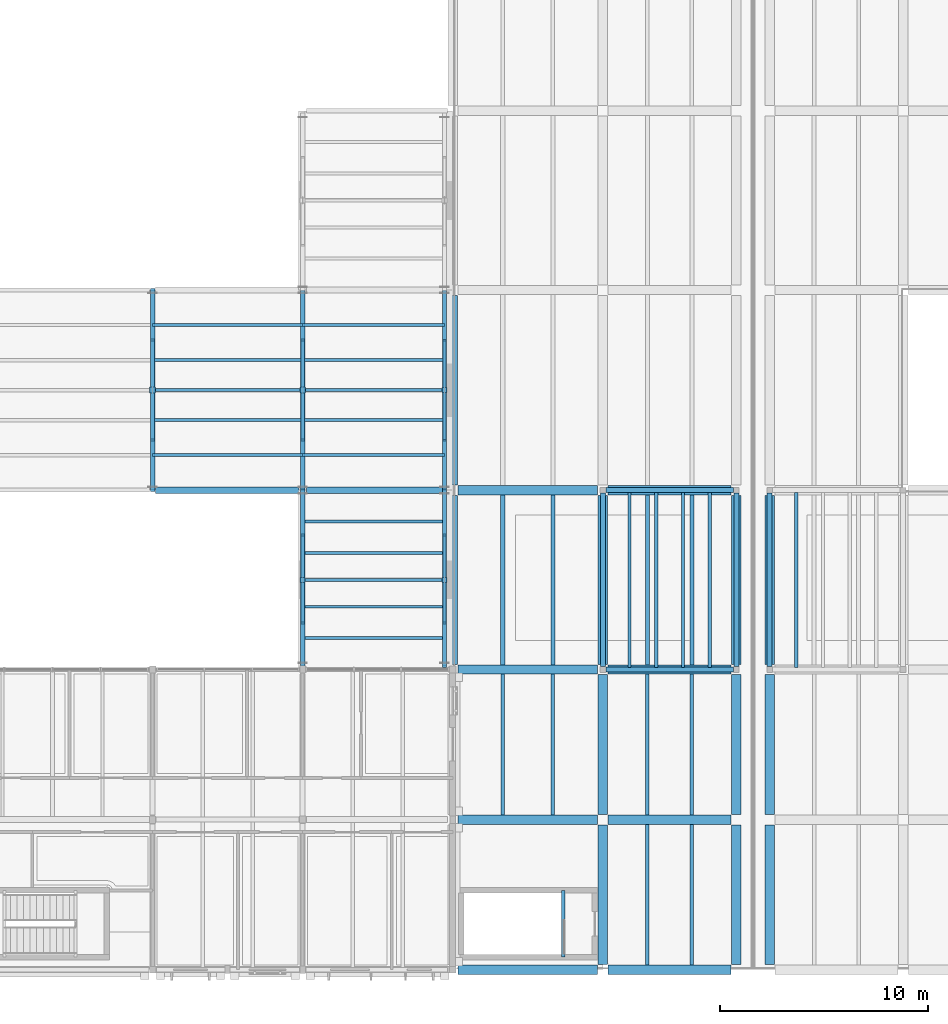
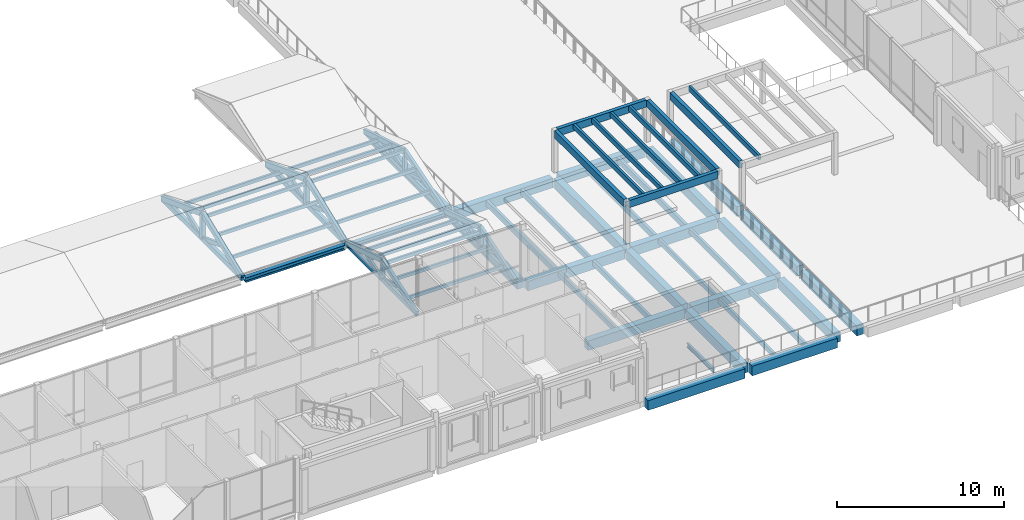
# One storey, part 42 of 115: 45 members, 42 beams.
"""IFC4 building model written with IfcOpenShell, lengths in metres."""

import ifcopenshell
import ifcopenshell.guid

model = None  # the IFC model being written
_history = None  # IfcOwnerHistory: only IFC2X3 demands one
_inside = {}  # id of a spatial element -> (the spatial element, [elements in it])
_under = {}  # id of a project, library or spatial element -> (it, [spatial elements below it])
_declared = {}  # id of a project -> (the project, [libraries it declares])
_typed = {}  # id of a type object -> (the type object, [elements of that type])
_made_of = {}  # id of a material, layer set ... -> (it, [elements and type objects made of it])


def new_model(schema):
    """Start an empty IFC model of exactly this schema.

    Asked for "IFC4X3", IfcOpenShell would pick the latest addendum, in which some entities
    have other attributes; the version numbers below select the first issue.
    IFC2X3 requires an IfcOwnerHistory on every rooted entity: one is made here for all.
    """
    global model, _history
    if schema == "IFC4X3":
        model = ifcopenshell.file(schema_version=(4, 3, 0, 0))
    else:
        model = ifcopenshell.file(schema=schema)
    _inside.clear()
    _under.clear()
    _declared.clear()
    _typed.clear()
    _made_of.clear()
    _history = None
    if model.schema == "IFC2X3":
        org = make("IfcOrganization", Name="unknown")
        user = make(
            "IfcPersonAndOrganization",
            ThePerson=make("IfcPerson", FamilyName="unknown"),
            TheOrganization=org,
        )
        app = make(
            "IfcApplication",
            ApplicationDeveloper=org,
            Version="unknown",
            ApplicationFullName="unknown",
            ApplicationIdentifier="unknown",
        )
        _history = make(
            "IfcOwnerHistory",
            OwningUser=user,
            OwningApplication=app,
            ChangeAction="ADDED",
            CreationDate=0,
        )
    return model


def make(cls, **values):
    """One entity of the class cls with the attributes given. An attribute that is None is left unset."""
    return model.create_entity(
        cls, **{name: value for name, value in values.items() if value is not None}
    )


def rooted(cls, **values):
    """An entity with a GlobalId (a new one), such as an element, a storey or a relation."""
    return make(cls, GlobalId=ifcopenshell.guid.new(), OwnerHistory=_history, **values)


def si_unit(unit_type, name, prefix=None):
    """IfcSIUnit, for example si_unit("LENGTHUNIT", "METRE", prefix="MILLI")."""
    return make("IfcSIUnit", UnitType=unit_type, Prefix=prefix, Name=name)


def assignment(units):
    """IfcUnitAssignment: the units of a project."""
    return None if units is None else make("IfcUnitAssignment", Units=units)


def point(xyz):
    """IfcCartesianPoint."""
    return None if xyz is None else make("IfcCartesianPoint", Coordinates=xyz)


def direction(xyz):
    """IfcDirection."""
    return None if xyz is None else make("IfcDirection", DirectionRatios=xyz)


def frame(location, z_axis=None, x_axis=None):
    """IfcAxis2Placement3D, a coordinate frame: its origin and axes. An axis left out is left unset."""
    return make(
        "IfcAxis2Placement3D",
        Location=point(location),
        Axis=direction(z_axis),
        RefDirection=direction(x_axis),
    )


def frame_2d(location, x_axis=None):
    """IfcAxis2Placement2D, a coordinate frame in the plane: its origin and x axis."""
    return make(
        "IfcAxis2Placement2D", Location=point(location), RefDirection=direction(x_axis)
    )


def origin():
    """The frame at (0, 0, 0) with its axes left unset."""
    return frame((0.0, 0.0, 0.0))


def origin_2d():
    """The frame at (0, 0) in the plane with its x axis left unset."""
    return frame_2d((0.0, 0.0))


def place(relative_to, where):
    """IfcLocalPlacement: puts the frame where relative to a parent placement (None: the world)."""
    return make(
        "IfcLocalPlacement", PlacementRelTo=relative_to, RelativePlacement=where
    )


def context(
    kind, dimensions, precision=None, world=None, true_north=None, identifier=None
):
    """IfcGeometricRepresentationContext, for example the 3D "Model" context."""
    return make(
        "IfcGeometricRepresentationContext",
        ContextIdentifier=identifier,
        ContextType=kind,
        CoordinateSpaceDimension=dimensions,
        Precision=precision,
        WorldCoordinateSystem=world,
        TrueNorth=true_north,
    )


def subcontext(parent, identifier, kind, view, scale=None):
    """IfcGeometricRepresentationSubContext, for example "Body" below "Model"."""
    return make(
        "IfcGeometricRepresentationSubContext",
        ContextIdentifier=identifier,
        ContextType=kind,
        ParentContext=parent,
        TargetScale=scale,
        TargetView=view,
    )


def project(units=None, contexts=None):
    """IfcProject with its units and contexts."""
    return rooted(
        "IfcProject",
        Name="project",
        RepresentationContexts=contexts,
        UnitsInContext=assignment(units),
    )


def spatial(cls, under=None, at=None, **own):
    """A site, building, storey or space (cls), placed at a placement, below another one or the project."""
    s = rooted(cls, ObjectPlacement=at, **own)
    if under is not None:
        _under.setdefault(under.id(), (under, []))[1].append(s)
    return s


def profile(cls, at=None, kind="AREA", **sizes):
    """A parametric profile (cls). Its sizes go by their IFC names, for example OverallWidth=200.0."""
    return make(cls, ProfileType=kind, Position=at, **sizes)


def rectangle(**sizes):
    """IfcRectangleProfileDef."""
    return profile("IfcRectangleProfileDef", **sizes)


def i_section(**sizes):
    """IfcIShapeProfileDef."""
    return profile("IfcIShapeProfileDef", **sizes)


def extrude(swept, where, along, depth):
    """IfcExtrudedAreaSolid: the profile swept, set in the frame where, extruded along a direction by depth."""
    return make(
        "IfcExtrudedAreaSolid",
        SweptArea=swept,
        Position=where,
        ExtrudedDirection=direction(along),
        Depth=depth,
    )


def shape(context_of_items, identifier, shape_type, items):
    """IfcShapeRepresentation: the items that make up one representation, for example the "Body"."""
    return make(
        "IfcShapeRepresentation",
        ContextOfItems=context_of_items,
        RepresentationIdentifier=identifier,
        RepresentationType=shape_type,
        Items=items,
    )


def material(Name=None, Category=None):
    """IfcMaterial."""
    return make("IfcMaterial", Name=Name, Category=Category)


def material_profile(
    of_material, cross_section, Name=None, Category=None, Priority=None
):
    """IfcMaterialProfile: a cross section and its material."""
    return make(
        "IfcMaterialProfile",
        Name=Name,
        Material=of_material,
        Profile=cross_section,
        Priority=Priority,
        Category=Category,
    )


def profile_set(profiles, Name=None, composite=None):
    """IfcMaterialProfileSet."""
    return make(
        "IfcMaterialProfileSet",
        Name=Name,
        MaterialProfiles=profiles,
        CompositeProfile=composite,
    )


def made_of(thing, what):
    """Note that an element or type object is made of a material, layer set ...; save() writes the relation."""
    if what is not None:
        _made_of.setdefault(what.id(), (what, []))[1].append(thing)
    return thing


def type_object(cls, material=None, **own):
    """A type object (cls), such as IfcWallType, which elements share."""
    return made_of(rooted(cls, **own), material)


def element(
    cls,
    number,
    at=None,
    inside=None,
    cuts=None,
    type_object=None,
    material=None,
    context=None,
    identifier="Body",
    shape_type=None,
    held_by="IfcProductDefinitionShape",
    body=None,
    shapes=None,
    **own,
):
    """One element of the class cls, such as IfcWall. Its Tag is "e" and its number.

    at: its placement. inside: the storey or other place that contains it. cuts: it is an
    opening in that element (IfcRelVoidsElement). A single representation is given by context,
    identifier, shape_type and body (its items); several are given by shapes. held_by: the class
    of the entity that holds the representations. save() writes the other relations.
    """
    e = rooted(cls, Tag="e%d" % number, ObjectPlacement=at, **own)
    if body is not None:
        shapes = [shape(context, identifier, shape_type, body)]
    if shapes is not None:
        e.Representation = make(held_by, Representations=shapes)
    if inside is not None:
        _inside.setdefault(inside.id(), (inside, []))[1].append(e)
    if cuts is not None:
        rooted(
            "IfcRelVoidsElement", RelatingBuildingElement=cuts, RelatedOpeningElement=e
        )
    if type_object is not None:
        _typed.setdefault(type_object.id(), (type_object, []))[1].append(e)
    return made_of(e, material)


def aggregate(whole, parts):
    """IfcRelAggregates: a whole, such as a stair, and the parts it consists of."""
    return rooted("IfcRelAggregates", RelatingObject=whole, RelatedObjects=parts)


def save(model, path):
    """Write the relations noted so far, then the file.

    IfcRelAggregates (storeys below a building ...), IfcRelContainedInSpatialStructure (elements
    in a storey), IfcRelDefinesByType, IfcRelAssociatesMaterial and IfcRelDeclares: one each for
    every whole, place, type object, material and project.
    """
    for whole, parts in _under.values():
        aggregate(whole, parts)
    for where, things in _inside.values():
        rooted(
            "IfcRelContainedInSpatialStructure",
            RelatedElements=things,
            RelatingStructure=where,
        )
    for kind, things in _typed.values():
        rooted("IfcRelDefinesByType", RelatedObjects=things, RelatingType=kind)
    for what, things in _made_of.values():
        rooted("IfcRelAssociatesMaterial", RelatedObjects=things, RelatingMaterial=what)
    for by, libraries in _declared.values():
        rooted("IfcRelDeclares", RelatingContext=by, RelatedDefinitions=libraries)
    model.write(path)


model = new_model("IFC4")

# Units and contexts
model_context = context("Model", 3, precision=1e-05, world=origin(), true_north=direction((0.0, 1.0)))
body_context = subcontext(model_context, "Body", "Model", "MODEL_VIEW")
ifc_project = project(units=[si_unit("LENGTHUNIT", "METRE"), si_unit("AREAUNIT", "SQUARE_METRE"), si_unit("VOLUMEUNIT", "CUBIC_METRE"), si_unit("PLANEANGLEUNIT", "RADIAN"), si_unit("MASSUNIT", "GRAM", prefix="KILO")], contexts=[model_context])

# Site, building, storey
site_placement = place(None, origin())
site = spatial("IfcSite", under=ifc_project, at=site_placement, CompositionType="ELEMENT")
building_placement = place(site_placement, origin())
building = spatial("IfcBuilding", under=site, at=building_placement, Name="Hawrajan Terrace Health Centre", CompositionType="ELEMENT")
storey_placement = place(building_placement, frame((0.0, 0.0, 9.0)))
storey = spatial("IfcBuildingStorey", under=building, at=storey_placement, Name="L02", CompositionType="ELEMENT", Elevation=9.0)

# Beams
ifc_material_1 = material(Name="Glulam GL32h", Category="wood")
ifc_material_profile_1 = material_profile(ifc_material_1, rectangle(XDim=0.239990234375, YDim=0.52001953125, at=origin_2d()), Name="GL BM 240x520")
ifc_profile_set_1 = profile_set([ifc_material_profile_1], Name="Glulam GL32h")
beam_type_1 = type_object("IfcBeamType", Name="GlulamGirder_240x520", PredefinedType="BEAM", material=ifc_profile_set_1)
for number, where, z_axis, x_axis, name in (
    (1, (122.340087890625, 18.60009765625, 2.840087890625), (1.0, 0.0, 0.0), (0.0, 1.0, 0.0), "Therapy garden pergola girder WEST-S"),
    (2, (122.340087890625, 27.199951171875, 2.840087890625), (1.0, 0.0, 0.0), (0.0, 1.0, 0.0), "Therapy garden pergola girder WEST-N"),
):
    element("IfcBeam", number, at=place(storey_placement, frame(where, z_axis=z_axis, x_axis=x_axis)), inside=storey, type_object=beam_type_1, Name=name, PredefinedType="BEAM", context=body_context, shape_type="SweptSolid", body=[
        extrude(rectangle(XDim=0.239990234375, YDim=0.52001953125, at=origin_2d()), origin(), (0.0, 0.0, 1.0), 6.119873046875),
    ])
for number, where, z_axis, x_axis, name in (
    (3, (122.199951171875, 18.739990234375, 2.840087890625), (0.0, 1.0, 0.0), (-1.0, 0.0, 0.0), "Therapy garden pergola girder WEST-W"),
    (4, (128.60009765625, 18.739990234375, 2.840087890625), (0.0, 1.0, 0.0), (-1.0, 0.0, 0.0), "Therapy garden pergola girder WEST-E"),
    (5, (130.199951171875, 18.739990234375, 2.840087890625), (0.0, 1.0, 0.0), (-1.0, 0.0, 0.0), "Therapy garden pergola girder EAST-W"),
):
    element("IfcBeam", number, at=place(storey_placement, frame(where, z_axis=z_axis, x_axis=x_axis)), inside=storey, type_object=beam_type_1, Name=name, PredefinedType="BEAM", context=body_context, shape_type="SweptSolid", body=[
        extrude(rectangle(XDim=0.239990234375, YDim=0.52001953125, at=origin_2d()), origin(), (0.0, 0.0, 1.0), 8.320068359375),
    ])
ifc_material_2 = material(Name="Glulam GL28h", Category="wood")
ifc_material_profile_2 = material_profile(ifc_material_2, rectangle(XDim=0.159912109375, YDim=0.360107421875, at=origin_2d()), Name="GL JST 160x360")
ifc_profile_set_2 = profile_set([ifc_material_profile_2], Name="Glulam GL28h")
beam_type_2 = type_object("IfcBeamType", Name="GlulamJoist_160x360", PredefinedType="JOIST", material=ifc_profile_set_2)
for number, where, z_axis, x_axis, name in (
    (6, (117.39990234375, 11.625, -0.4599609375), (0.0, 1.0, 0.0), (-1.0, 0.0, 0.0), "Secondary joist JST-L02-C-15-2-1"),
    (7, (124.333251953125, 4.425048828125, -0.4599609375), (0.0, 1.0, 0.0), (-1.0, 0.0, 0.0), "Secondary joist JST-L02-C-16-1-1"),
    (8, (124.333251953125, 11.625, -0.4599609375), (0.0, 1.0, 0.0), (-1.0, 0.0, 0.0), "Secondary joist JST-L02-C-16-2-1"),
):
    element("IfcBeam", number, at=place(storey_placement, frame(where, z_axis=z_axis, x_axis=x_axis)), inside=storey, type_object=beam_type_2, Name=name, PredefinedType="JOIST", context=body_context, shape_type="SweptSolid", body=[
        extrude(rectangle(XDim=0.159912109375, YDim=0.360107421875, at=origin_2d()), origin(), (0.0, 0.0, 1.0), 6.75),
    ])
for number, where, z_axis, x_axis, name in (
    (9, (123.47998046875, 18.705078125, 2.919921875), (0.0, 1.0, 0.0), (-1.0, 0.0, 0.0), "Therapy garden shade pergola rafter WEST-1"),
    (10, (124.760009765625, 18.705078125, 2.919921875), (0.0, 1.0, 0.0), (-1.0, 0.0, 0.0), "Therapy garden shade pergola rafter WEST-2"),
    (11, (126.0400390625, 18.705078125, 2.919921875), (0.0, 1.0, 0.0), (-1.0, 0.0, 0.0), "Therapy garden shade pergola rafter WEST-3"),
    (12, (127.320068359375, 18.705078125, 2.919921875), (0.0, 1.0, 0.0), (-1.0, 0.0, 0.0), "Therapy garden shade pergola rafter WEST-4"),
    (13, (131.47998046875, 18.705078125, 2.919921875), (0.0, 1.0, 0.0), (-1.0, 0.0, 0.0), "Therapy garden shade pergola rafter EAST-1"),
):
    element("IfcBeam", number, at=place(storey_placement, frame(where, z_axis=z_axis, x_axis=x_axis)), inside=storey, type_object=beam_type_2, Name=name, PredefinedType="JOIST", context=body_context, shape_type="SweptSolid", body=[
        extrude(rectangle(XDim=0.159912109375, YDim=0.360107421875, at=origin_2d()), origin(), (0.0, 0.0, 1.0), 8.389892578125),
    ])
ifc_material_profile_3 = material_profile(ifc_material_2, rectangle(XDim=0.179931640625, YDim=0.39990234375, at=origin_2d()), Name="GL JST 180x400")
ifc_profile_set_3 = profile_set([ifc_material_profile_3], Name="Glulam GL28h")
beam_type_3 = type_object("IfcBeamType", Name="GlulamJoist_180x400", PredefinedType="JOIST", material=ifc_profile_set_3)
for number, where, z_axis, x_axis, name in (
    (14, (119.800048828125, 11.625, -0.47998046875), (0.0, 1.0, 0.0), (-1.0, 0.0, 0.0), "Secondary joist JST-L02-C-15-2-2"),
    (15, (126.466796875, 4.425048828125, -0.47998046875), (0.0, 1.0, 0.0), (-1.0, 0.0, 0.0), "Secondary joist JST-L02-C-16-1-2"),
    (16, (126.466796875, 11.625, -0.47998046875), (0.0, 1.0, 0.0), (-1.0, 0.0, 0.0), "Secondary joist JST-L02-C-16-2-2"),
):
    element("IfcBeam", number, at=place(storey_placement, frame(where, z_axis=z_axis, x_axis=x_axis)), inside=storey, type_object=beam_type_3, Name=name, PredefinedType="JOIST", context=body_context, shape_type="SweptSolid", body=[
        extrude(rectangle(XDim=0.179931640625, YDim=0.39990234375, at=origin_2d()), origin(), (0.0, 0.0, 1.0), 6.75),
    ])
ifc_material_profile_4 = material_profile(ifc_material_2, rectangle(XDim=0.199951171875, YDim=0.419921875, at=origin_2d()), Name="GL JST 200x420")
ifc_profile_set_4 = profile_set([ifc_material_profile_4], Name="Glulam GL28h")
beam_type_4 = type_object("IfcBeamType", Name="GlulamJoist_200x420", PredefinedType="JOIST", material=ifc_profile_set_4)
for number, where, z_axis, x_axis, name in (
    (17, (117.39990234375, 18.824951171875, -0.489990234375), (0.0, 1.0, 0.0), (-1.0, 0.0, 0.0), "Secondary joist JST-L02-C-15-3-1"),
    (18, (119.800048828125, 18.824951171875, -0.489990234375), (0.0, 1.0, 0.0), (-1.0, 0.0, 0.0), "Secondary joist JST-L02-C-15-3-2"),
    (19, (124.333251953125, 18.824951171875, -0.489990234375), (0.0, 1.0, 0.0), (-1.0, 0.0, 0.0), "Secondary joist JST-L02-C-16-3-1"),
    (20, (126.466796875, 18.824951171875, -0.489990234375), (0.0, 1.0, 0.0), (-1.0, 0.0, 0.0), "Secondary joist JST-L02-C-16-3-2"),
):
    element("IfcBeam", number, at=place(storey_placement, frame(where, z_axis=z_axis, x_axis=x_axis)), inside=storey, type_object=beam_type_4, Name=name, PredefinedType="JOIST", context=body_context, shape_type="SweptSolid", body=[
        extrude(rectangle(XDim=0.199951171875, YDim=0.419921875, at=origin_2d()), origin(), (0.0, 0.0, 1.0), 8.150146484375),
    ])
ifc_material_3 = material(Name="Concrete C40/50", Category="concrete")
ifc_material_profile_5 = material_profile(ifc_material_3, rectangle(XDim=0.449951171875, YDim=0.699951171875, at=origin_2d()), Name="RC BM 450x700")
ifc_profile_set_5 = profile_set([ifc_material_profile_5], Name="Concrete C40/50")
beam_type_5 = type_object("IfcBeamType", Name="RCGirder_450x700", PredefinedType="BEAM", material=ifc_profile_set_5)
for number, where, z_axis, x_axis, name in (
    (21, (115.25, 4.199951171875, -0.6298828125), (1.0, 0.0, 0.0), (0.0, 1.0, 0.0), "Beam BM-X-L02-C-15-Y1"),
    (22, (115.25, 11.39990234375, -0.6298828125), (1.0, 0.0, 0.0), (0.0, 1.0, 0.0), "Beam BM-X-L02-C-15-Y2"),
    (23, (115.25, 18.60009765625, -0.6298828125), (1.0, 0.0, 0.0), (0.0, 1.0, 0.0), "Beam BM-X-L02-C-15-Y3"),
    (24, (115.25, 27.199951171875, -0.6298828125), (1.0, 0.0, 0.0), (0.0, 1.0, 0.0), "Beam BM-X-L02-C-15-Y4"),
):
    element("IfcBeam", number, at=place(storey_placement, frame(where, z_axis=z_axis, x_axis=x_axis)), inside=storey, type_object=beam_type_5, Name=name, PredefinedType="BEAM", context=body_context, shape_type="SweptSolid", body=[
        extrude(rectangle(XDim=0.449951171875, YDim=0.699951171875, at=origin_2d()), origin(), (0.0, 0.0, 1.0), 6.699951171875),
    ])
for number, where, z_axis, x_axis, name in (
    (25, (122.449951171875, 4.199951171875, -0.6298828125), (1.0, 0.0, 0.0), (0.0, 1.0, 0.0), "Beam BM-X-L02-C-16-Y1"),
    (26, (122.449951171875, 11.39990234375, -0.6298828125), (1.0, 0.0, 0.0), (0.0, 1.0, 0.0), "Beam BM-X-L02-C-16-Y2"),
    (27, (122.449951171875, 18.60009765625, -0.6298828125), (1.0, 0.0, 0.0), (0.0, 1.0, 0.0), "Beam BM-X-L02-C-16-Y3"),
    (28, (122.449951171875, 27.199951171875, -0.6298828125), (1.0, 0.0, 0.0), (0.0, 1.0, 0.0), "Beam BM-X-L02-C-16-Y4"),
):
    element("IfcBeam", number, at=place(storey_placement, frame(where, z_axis=z_axis, x_axis=x_axis)), inside=storey, type_object=beam_type_5, Name=name, PredefinedType="BEAM", context=body_context, shape_type="SweptSolid", body=[
        extrude(rectangle(XDim=0.449951171875, YDim=0.699951171875, at=origin_2d()), origin(), (0.0, 0.0, 1.0), 5.900146484375),
    ])
beam_1_placement = place(storey_placement, frame((115.0, 18.85009765625, -0.6298828125), z_axis=(0.0, 1.0, 0.0), x_axis=(-1.0, 0.0, 0.0)))
element("IfcBeam", 29, at=beam_1_placement, inside=storey, type_object=beam_type_5, Name="Beam BM-Y-L02-C-X15-3", PredefinedType="BEAM", context=body_context, shape_type="SweptSolid", body=[
    extrude(rectangle(XDim=0.449951171875, YDim=0.699951171875, at=origin_2d()), origin(), (0.0, 0.0, 1.0), 8.099853515625),
])
beam_2_placement = place(storey_placement, frame((115.0, 27.449951171875, -0.6298828125), z_axis=(0.0, 1.0, 0.0), x_axis=(-1.0, 0.0, 0.0)))
element("IfcBeam", 30, at=beam_2_placement, inside=storey, type_object=beam_type_5, Name="Beam BM-Y-L02-C-X15-4", PredefinedType="BEAM", context=body_context, shape_type="SweptSolid", body=[
    extrude(rectangle(XDim=0.449951171875, YDim=0.699951171875, at=origin_2d()), origin(), (0.0, 0.0, 1.0), 9.10009765625),
])
beam_3_placement = place(storey_placement, frame((122.199951171875, 4.449951171875, -0.6298828125), z_axis=(0.0, 1.0, 0.0), x_axis=(-1.0, 0.0, 0.0)))
element("IfcBeam", 31, at=beam_3_placement, inside=storey, type_object=beam_type_5, Name="Beam BM-Y-L02-C-X16-1", PredefinedType="BEAM", context=body_context, shape_type="SweptSolid", body=[
    extrude(rectangle(XDim=0.449951171875, YDim=0.699951171875, at=origin_2d()), origin(), (0.0, 0.0, 1.0), 6.699951171875),
])
beam_4_placement = place(storey_placement, frame((122.199951171875, 11.64990234375, -0.6298828125), z_axis=(0.0, 1.0, 0.0), x_axis=(-1.0, 0.0, 0.0)))
element("IfcBeam", 32, at=beam_4_placement, inside=storey, type_object=beam_type_5, Name="Beam BM-Y-L02-C-X16-2", PredefinedType="BEAM", context=body_context, shape_type="SweptSolid", body=[
    extrude(rectangle(XDim=0.449951171875, YDim=0.699951171875, at=origin_2d()), origin(), (0.0, 0.0, 1.0), 6.7001953125),
])
beam_5_placement = place(storey_placement, frame((122.199951171875, 18.85009765625, -0.6298828125), z_axis=(0.0, 1.0, 0.0), x_axis=(-1.0, 0.0, 0.0)))
element("IfcBeam", 33, at=beam_5_placement, inside=storey, type_object=beam_type_5, Name="Beam BM-Y-L02-C-X16-3", PredefinedType="BEAM", context=body_context, shape_type="SweptSolid", body=[
    extrude(rectangle(XDim=0.449951171875, YDim=0.699951171875, at=origin_2d()), origin(), (0.0, 0.0, 1.0), 8.099853515625),
])
beam_6_placement = place(storey_placement, frame((128.60009765625, 4.449951171875, -0.6298828125), z_axis=(0.0, 1.0, 0.0), x_axis=(-1.0, 0.0, 0.0)))
element("IfcBeam", 34, at=beam_6_placement, inside=storey, type_object=beam_type_5, Name="Beam BM-Y-L02-C-X17-1", PredefinedType="BEAM", context=body_context, shape_type="SweptSolid", body=[
    extrude(rectangle(XDim=0.449951171875, YDim=0.699951171875, at=origin_2d()), origin(), (0.0, 0.0, 1.0), 6.699951171875),
])
beam_7_placement = place(storey_placement, frame((128.60009765625, 11.64990234375, -0.6298828125), z_axis=(0.0, 1.0, 0.0), x_axis=(-1.0, 0.0, 0.0)))
element("IfcBeam", 35, at=beam_7_placement, inside=storey, type_object=beam_type_5, Name="Beam BM-Y-L02-C-X17-2", PredefinedType="BEAM", context=body_context, shape_type="SweptSolid", body=[
    extrude(rectangle(XDim=0.449951171875, YDim=0.699951171875, at=origin_2d()), origin(), (0.0, 0.0, 1.0), 6.7001953125),
])
beam_8_placement = place(storey_placement, frame((128.60009765625, 18.85009765625, -0.6298828125), z_axis=(0.0, 1.0, 0.0), x_axis=(-1.0, 0.0, 0.0)))
element("IfcBeam", 36, at=beam_8_placement, inside=storey, type_object=beam_type_5, Name="Beam BM-Y-L02-C-X17-3", PredefinedType="BEAM", context=body_context, shape_type="SweptSolid", body=[
    extrude(rectangle(XDim=0.449951171875, YDim=0.699951171875, at=origin_2d()), origin(), (0.0, 0.0, 1.0), 8.099853515625),
])
beam_9_placement = place(storey_placement, frame((130.199951171875, 4.449951171875, -0.6298828125), z_axis=(0.0, 1.0, 0.0), x_axis=(-1.0, 0.0, 0.0)))
element("IfcBeam", 37, at=beam_9_placement, inside=storey, type_object=beam_type_5, Name="Beam BM-Y-L02-E-X17-1", PredefinedType="BEAM", context=body_context, shape_type="SweptSolid", body=[
    extrude(rectangle(XDim=0.449951171875, YDim=0.699951171875, at=origin_2d()), origin(), (0.0, 0.0, 1.0), 6.699951171875),
])
beam_10_placement = place(storey_placement, frame((130.199951171875, 11.64990234375, -0.6298828125), z_axis=(0.0, 1.0, 0.0), x_axis=(-1.0, 0.0, 0.0)))
element("IfcBeam", 38, at=beam_10_placement, inside=storey, type_object=beam_type_5, Name="Beam BM-Y-L02-E-X17-2", PredefinedType="BEAM", context=body_context, shape_type="SweptSolid", body=[
    extrude(rectangle(XDim=0.449951171875, YDim=0.699951171875, at=origin_2d()), origin(), (0.0, 0.0, 1.0), 6.7001953125),
])
beam_11_placement = place(storey_placement, frame((130.199951171875, 18.85009765625, -0.6298828125), z_axis=(0.0, 1.0, 0.0), x_axis=(-1.0, 0.0, 0.0)))
element("IfcBeam", 39, at=beam_11_placement, inside=storey, type_object=beam_type_5, Name="Beam BM-Y-L02-E-X17-3", PredefinedType="BEAM", context=body_context, shape_type="SweptSolid", body=[
    extrude(rectangle(XDim=0.449951171875, YDim=0.699951171875, at=origin_2d()), origin(), (0.0, 0.0, 1.0), 8.099853515625),
])

# Members
ifc_material_profile_6 = material_profile(ifc_material_2, rectangle(XDim=0.139892578125, YDim=0.239990234375, at=origin_2d()), Name="GL PUR 140x240")
ifc_profile_set_6 = profile_set([ifc_material_profile_6], Name="Glulam GL28h")
member_type_1 = type_object("IfcMemberType", Name="RoofPurlin_140x240", PredefinedType="PURLIN", material=ifc_profile_set_6)
for number, where, z_axis, x_axis, name in (
    (40, (100.60009765625, 28.8798828125, 0.189697265625), (1.0, 0.0, 0.0), (0.0, 1.0, 0.0), "Tent roof purlin 13-TRM-S1"),
    (41, (100.60009765625, 35.1201171875, 0.189697265625), (1.0, 0.0, 0.0), (0.0, 1.0, 0.0), "Tent roof purlin 13-TRM-N1"),
    (42, (100.60009765625, 30.56005859375, 0.8193359375), (1.0, 0.0, 0.0), (0.0, 1.0, 0.0), "Tent roof purlin 13-TRM-S2"),
    (43, (100.60009765625, 33.43994140625, 0.8193359375), (1.0, 0.0, 0.0), (0.0, 1.0, 0.0), "Tent roof purlin 13-TRM-N2"),
    (44, (100.60009765625, 32.0, 1.29931640625), (1.0, 0.0, 0.0), (0.0, 1.0, 0.0), "Tent ridge purlin 13-TRM"),
):
    element("IfcMember", number, at=place(storey_placement, frame(where, z_axis=z_axis, x_axis=x_axis)), inside=storey, type_object=member_type_1, Name=name, PredefinedType="PURLIN", context=body_context, shape_type="SweptSolid", body=[
        extrude(rectangle(XDim=0.139892578125, YDim=0.239990234375, at=origin_2d()), origin(), (0.0, 0.0, 1.0), 7.199951171875),
    ])
for number, where, z_axis, x_axis, name in (
    (45, (107.800048828125, 28.8798828125, 0.189697265625), (1.0, 0.0, 0.0), (0.0, 1.0, 0.0), "Tent roof purlin 14-TRS-S1"),
    (46, (107.800048828125, 35.1201171875, 0.189697265625), (1.0, 0.0, 0.0), (0.0, 1.0, 0.0), "Tent roof purlin 14-TRS-N1"),
    (47, (107.800048828125, 30.56005859375, 0.8193359375), (1.0, 0.0, 0.0), (0.0, 1.0, 0.0), "Tent roof purlin 14-TRS-S2"),
    (48, (107.800048828125, 33.43994140625, 0.8193359375), (1.0, 0.0, 0.0), (0.0, 1.0, 0.0), "Tent roof purlin 14-TRS-N2"),
    (49, (107.800048828125, 32.0, 1.29931640625), (1.0, 0.0, 0.0), (0.0, 1.0, 0.0), "Tent ridge purlin 14-TRS"),
    (50, (107.800048828125, 20.10498046875, 0.041748046875), (1.0, 0.0, 0.0), (0.0, 1.0, 0.0), "Tent roof purlin 14-TRS-SC-S1"),
    (51, (107.800048828125, 25.695068359375, 0.041748046875), (1.0, 0.0, 0.0), (0.0, 1.0, 0.0), "Tent roof purlin 14-TRS-SC-N1"),
    (52, (107.800048828125, 21.610107421875, 0.5234375), (1.0, 0.0, 0.0), (0.0, 1.0, 0.0), "Tent roof purlin 14-TRS-SC-S2"),
    (53, (107.800048828125, 24.18994140625, 0.5234375), (1.0, 0.0, 0.0), (0.0, 1.0, 0.0), "Tent roof purlin 14-TRS-SC-N2"),
    (54, (107.800048828125, 22.89990234375, 0.876220703125), (1.0, 0.0, 0.0), (0.0, 1.0, 0.0), "Tent ridge purlin 14-TRS-SC"),
):
    element("IfcMember", number, at=place(storey_placement, frame(where, z_axis=z_axis, x_axis=x_axis)), inside=storey, type_object=member_type_1, Name=name, PredefinedType="PURLIN", context=body_context, shape_type="SweptSolid", body=[
        extrude(rectangle(XDim=0.139892578125, YDim=0.239990234375, at=origin_2d()), origin(), (0.0, 0.0, 1.0), 6.800048828125),
    ])

# Beams
ifc_material_4 = material(Name="Steel S355", Category="steel")
ifc_material_profile_7 = material_profile(ifc_material_4, i_section(OverallWidth=0.300048828125, OverallDepth=0.35009765625, WebThickness=0.010009765625, FlangeThickness=0.017578125, FilletRadius=0.027099609375, at=origin_2d()), Name="HEA 360")
ifc_profile_set_7 = profile_set([ifc_material_profile_7], Name="Steel S355")
beam_type_6 = type_object("IfcBeamType", Name="SteelBeam_HEA360", PredefinedType="BEAM", material=ifc_profile_set_7)
beam_12_placement = place(storey_placement, frame((100.75, 27.199951171875, -0.375), z_axis=(1.0, 0.0, 0.0), x_axis=(0.0, 1.0, 0.0)))
element("IfcBeam", 55, at=beam_12_placement, inside=storey, type_object=beam_type_6, Name="Beam BM-X-L02-C-13-Y4", PredefinedType="BEAM", context=body_context, shape_type="SweptSolid", body=[
    extrude(i_section(OverallWidth=0.300048828125, OverallDepth=0.35009765625, WebThickness=0.010009765625, FlangeThickness=0.017578125, FilletRadius=0.027099609375, at=origin_2d()), origin(), (0.0, 0.0, 1.0), 6.8701171875),
])
beam_13_placement = place(storey_placement, frame((107.97998046875, 27.199951171875, -0.455078125), z_axis=(1.0, 0.0, 0.0), x_axis=(0.0, 1.0, 0.0)))
element("IfcBeam", 56, at=beam_13_placement, inside=storey, type_object=beam_type_6, Name="Beam BM-X-L02-C-14-Y4", PredefinedType="BEAM", context=body_context, shape_type="SweptSolid", body=[
    extrude(i_section(OverallWidth=0.300048828125, OverallDepth=0.35009765625, WebThickness=0.010009765625, FlangeThickness=0.017578125, FilletRadius=0.027099609375, at=origin_2d()), origin(), (0.0, 0.0, 1.0), 6.77001953125),
])
ifc_material_profile_8 = material_profile(ifc_material_4, i_section(OverallWidth=0.14990234375, OverallDepth=0.300048828125, WebThickness=0.007080078125, FlangeThickness=0.0107421875, FilletRadius=0.014892578125, at=origin_2d()), Name="IPE 300")
ifc_profile_set_8 = profile_set([ifc_material_profile_8], Name="Steel S355")
beam_type_7 = type_object("IfcBeamType", Name="SteelBeam_IPE300", PredefinedType="JOIST", material=ifc_profile_set_8)
beam_14_placement = place(storey_placement, frame((120.300048828125, 4.800048828125, -0.3701171875), z_axis=(0.0, 1.0, 0.0), x_axis=(-1.0, 0.0, 0.0)))
element("IfcBeam", 57, at=beam_14_placement, inside=storey, type_object=beam_type_7, Name="Stair top trimmer ST-6", PredefinedType="JOIST", context=body_context, shape_type="SweptSolid", body=[
    extrude(i_section(OverallWidth=0.14990234375, OverallDepth=0.300048828125, WebThickness=0.007080078125, FlangeThickness=0.0107421875, FilletRadius=0.014892578125, at=origin_2d()), origin(), (0.0, 0.0, 1.0), 3.199951171875),
])

# Members
ifc_material_profile_9 = material_profile(ifc_material_1, rectangle(XDim=0.199951171875, YDim=0.340087890625, at=origin_2d()), Name="GL CHD 200x340")
ifc_profile_set_9 = profile_set([ifc_material_profile_9], Name="Glulam GL32h")
member_type_2 = type_object("IfcMemberType", Name="TrussChord_200x340", PredefinedType="CHORD", material=ifc_profile_set_9)
member_1_placement = place(storey_placement, frame((114.60009765625, 27.199951171875, -0.219970703125), z_axis=(0.0, 1.0, 0.0), x_axis=(-1.0, 0.0, 0.0)))
element("IfcMember", 58, at=member_1_placement, inside=storey, type_object=member_type_2, Name="Glulam truss tie chord C-G15-TRS", PredefinedType="CHORD", context=body_context, shape_type="SweptSolid", body=[
    extrude(rectangle(XDim=0.199951171875, YDim=0.340087890625, at=origin_2d()), origin(), (0.0, 0.0, 1.0), 9.60009765625),
])
for number, where, z_axis, x_axis, name in (
    (59, (114.60009765625, 27.199951171875, -0.219970703125), (0.0, 0.955608602252, 0.294639100089), (-1.0, 0.0, 0.0), "Glulam truss south top chord C-G15-TRS"),
    (60, (114.60009765625, 32.0, 1.260009765625), (0.0, 0.955608602252, -0.294639100089), (-1.0, 0.0, 0.0), "Glulam truss north top chord C-G15-TRS"),
):
    element("IfcMember", number, at=place(storey_placement, frame(where, z_axis=z_axis, x_axis=x_axis)), inside=storey, type_object=member_type_2, Name=name, PredefinedType="CHORD", context=body_context, shape_type="SweptSolid", body=[
        extrude(rectangle(XDim=0.199951171875, YDim=0.340087890625, at=origin_2d()), origin(), (0.0, 0.0, 1.0), 5.02294921875),
    ])
member_2_placement = place(storey_placement, frame((107.800048828125, 18.760009765625, -0.219970703125), z_axis=(0.0, 1.0, 0.0), x_axis=(-1.0, 0.0, 0.0)))
element("IfcMember", 61, at=member_2_placement, inside=storey, type_object=member_type_2, Name="Glulam truss tie chord C-G14-TRS-SC", PredefinedType="CHORD", context=body_context, shape_type="SweptSolid", body=[
    extrude(rectangle(XDim=0.199951171875, YDim=0.340087890625, at=origin_2d()), origin(), (0.0, 0.0, 1.0), 8.43994140625),
])
member_3_placement = place(storey_placement, frame((107.800048828125, 18.760009765625, -0.219970703125), z_axis=(0.0, 0.948940406959, 0.315455391521), x_axis=(-1.0, 0.0, 0.0)))
element("IfcMember", 62, at=member_3_placement, inside=storey, type_object=member_type_2, Name="Glulam truss south top chord C-G14-TRS-SC", PredefinedType="CHORD", context=body_context, shape_type="SweptSolid", body=[
    extrude(rectangle(XDim=0.199951171875, YDim=0.340087890625, at=origin_2d()), origin(), (0.0, 0.0, 1.0), 4.362548828125),
])
member_4_placement = place(storey_placement, frame((107.800048828125, 22.89990234375, 1.15625), z_axis=(0.0, 0.952410961278, -0.304816930036), x_axis=(-1.0, 0.0, 0.0)))
element("IfcMember", 63, at=member_4_placement, inside=storey, type_object=member_type_2, Name="Glulam truss north top chord C-G14-TRS-SC", PredefinedType="CHORD", context=body_context, shape_type="SweptSolid", body=[
    extrude(rectangle(XDim=0.199951171875, YDim=0.340087890625, at=origin_2d()), origin(), (0.0, 0.0, 1.0), 4.514892578125),
])
member_5_placement = place(storey_placement, frame((114.60009765625, 18.760009765625, -0.219970703125), z_axis=(0.0, 1.0, 0.0), x_axis=(-1.0, 0.0, 0.0)))
element("IfcMember", 64, at=member_5_placement, inside=storey, type_object=member_type_2, Name="Glulam truss tie chord C-G15-TRS-SC", PredefinedType="CHORD", context=body_context, shape_type="SweptSolid", body=[
    extrude(rectangle(XDim=0.199951171875, YDim=0.340087890625, at=origin_2d()), origin(), (0.0, 0.0, 1.0), 8.43994140625),
])
member_6_placement = place(storey_placement, frame((114.60009765625, 18.760009765625, -0.219970703125), z_axis=(0.0, 0.948940406959, 0.315455391521), x_axis=(-1.0, 0.0, 0.0)))
element("IfcMember", 65, at=member_6_placement, inside=storey, type_object=member_type_2, Name="Glulam truss south top chord C-G15-TRS-SC", PredefinedType="CHORD", context=body_context, shape_type="SweptSolid", body=[
    extrude(rectangle(XDim=0.199951171875, YDim=0.340087890625, at=origin_2d()), origin(), (0.0, 0.0, 1.0), 4.362548828125),
])
member_7_placement = place(storey_placement, frame((114.60009765625, 22.89990234375, 1.15625), z_axis=(0.0, 0.952410961278, -0.304816930036), x_axis=(-1.0, 0.0, 0.0)))
element("IfcMember", 66, at=member_7_placement, inside=storey, type_object=member_type_2, Name="Glulam truss north top chord C-G15-TRS-SC", PredefinedType="CHORD", context=body_context, shape_type="SweptSolid", body=[
    extrude(rectangle(XDim=0.199951171875, YDim=0.340087890625, at=origin_2d()), origin(), (0.0, 0.0, 1.0), 4.514892578125),
])
ifc_material_profile_10 = material_profile(ifc_material_1, rectangle(XDim=0.219970703125, YDim=0.3798828125, at=origin_2d()), Name="GL CHD 220x380")
ifc_profile_set_10 = profile_set([ifc_material_profile_10], Name="Glulam GL32h")
member_type_3 = type_object("IfcMemberType", Name="TrussChord_220x380", PredefinedType="CHORD", material=ifc_profile_set_10)
member_8_placement = place(storey_placement, frame((100.60009765625, 27.199951171875, -0.219970703125), z_axis=(0.0, 1.0, 0.0), x_axis=(-1.0, 0.0, 0.0)))
element("IfcMember", 67, at=member_8_placement, inside=storey, type_object=member_type_3, Name="Glulam truss tie chord C-G13-TRM", PredefinedType="CHORD", context=body_context, shape_type="SweptSolid", body=[
    extrude(rectangle(XDim=0.219970703125, YDim=0.3798828125, at=origin_2d()), origin(), (0.0, 0.0, 1.0), 9.60009765625),
])
for number, where, z_axis, x_axis, name in (
    (68, (100.60009765625, 27.199951171875, -0.219970703125), (0.0, 0.936389838784, 0.350961635827), (-1.0, 0.0, 0.0), "Glulam truss south top chord C-G13-TRM"),
    (69, (100.60009765625, 32.0, 1.5791015625), (0.0, 0.936389838784, -0.350961635827), (-1.0, 0.0, 0.0), "Glulam truss north top chord C-G13-TRM"),
):
    element("IfcMember", number, at=place(storey_placement, frame(where, z_axis=z_axis, x_axis=x_axis)), inside=storey, type_object=member_type_3, Name=name, PredefinedType="CHORD", context=body_context, shape_type="SweptSolid", body=[
        extrude(rectangle(XDim=0.219970703125, YDim=0.3798828125, at=origin_2d()), origin(), (0.0, 0.0, 1.0), 5.126220703125),
    ])
member_9_placement = place(storey_placement, frame((107.800048828125, 27.199951171875, -0.219970703125), z_axis=(0.0, 1.0, 0.0), x_axis=(-1.0, 0.0, 0.0)))
element("IfcMember", 70, at=member_9_placement, inside=storey, type_object=member_type_3, Name="Glulam truss tie chord C-G14-TRM", PredefinedType="CHORD", context=body_context, shape_type="SweptSolid", body=[
    extrude(rectangle(XDim=0.219970703125, YDim=0.3798828125, at=origin_2d()), origin(), (0.0, 0.0, 1.0), 9.60009765625),
])
for number, where, z_axis, x_axis, name in (
    (71, (107.800048828125, 27.199951171875, -0.219970703125), (0.0, 0.936389838784, 0.350961635827), (-1.0, 0.0, 0.0), "Glulam truss south top chord C-G14-TRM"),
    (72, (107.800048828125, 32.0, 1.5791015625), (0.0, 0.936389838784, -0.350961635827), (-1.0, 0.0, 0.0), "Glulam truss north top chord C-G14-TRM"),
):
    element("IfcMember", number, at=place(storey_placement, frame(where, z_axis=z_axis, x_axis=x_axis)), inside=storey, type_object=member_type_3, Name=name, PredefinedType="CHORD", context=body_context, shape_type="SweptSolid", body=[
        extrude(rectangle(XDim=0.219970703125, YDim=0.3798828125, at=origin_2d()), origin(), (0.0, 0.0, 1.0), 5.126220703125),
    ])
ifc_material_profile_11 = material_profile(ifc_material_2, rectangle(XDim=0.239990234375, YDim=0.239990234375, at=origin_2d()), Name="GL KP 240x240")
ifc_profile_set_11 = profile_set([ifc_material_profile_11], Name="Glulam GL28h")
member_type_4 = type_object("IfcMemberType", Name="TrussKingPost_240x240", PredefinedType="STRUT", material=ifc_profile_set_11)
member_10_placement = place(storey_placement, frame((114.60009765625, 32.0, -0.219970703125), z_axis=(0.0, 0.0, 1.0), x_axis=(1.0, 0.0, 0.0)))
element("IfcMember", 73, at=member_10_placement, inside=storey, type_object=member_type_4, Name="Glulam truss king post C-G15-TRS", PredefinedType="STRUT", context=body_context, shape_type="SweptSolid", body=[
    extrude(rectangle(XDim=0.239990234375, YDim=0.239990234375, at=origin_2d()), origin(), (0.0, 0.0, 1.0), 1.47998046875),
])
for number, where, z_axis, x_axis, name in (
    (74, (107.800048828125, 22.89990234375, -0.219970703125), (0.0, 0.0, 1.0), (1.0, 0.0, 0.0), "Glulam truss king post C-G14-TRS-SC"),
    (75, (114.60009765625, 22.89990234375, -0.219970703125), (0.0, 0.0, 1.0), (1.0, 0.0, 0.0), "Glulam truss king post C-G15-TRS-SC"),
):
    element("IfcMember", number, at=place(storey_placement, frame(where, z_axis=z_axis, x_axis=x_axis)), inside=storey, type_object=member_type_4, Name=name, PredefinedType="STRUT", context=body_context, shape_type="SweptSolid", body=[
        extrude(rectangle(XDim=0.239990234375, YDim=0.239990234375, at=origin_2d()), origin(), (0.0, 0.0, 1.0), 1.376220703125),
    ])
ifc_material_profile_12 = material_profile(ifc_material_2, rectangle(XDim=0.280029296875, YDim=0.280029296875, at=origin_2d()), Name="GL KP 280x280")
ifc_profile_set_12 = profile_set([ifc_material_profile_12], Name="Glulam GL28h")
member_type_5 = type_object("IfcMemberType", Name="TrussKingPost_280x280", PredefinedType="STRUT", material=ifc_profile_set_12)
for number, where, z_axis, x_axis, name in (
    (76, (100.60009765625, 32.0, -0.219970703125), (0.0, 0.0, 1.0), (1.0, 0.0, 0.0), "Glulam truss king post C-G13-TRM"),
    (77, (107.800048828125, 32.0, -0.219970703125), (0.0, 0.0, 1.0), (1.0, 0.0, 0.0), "Glulam truss king post C-G14-TRM"),
):
    element("IfcMember", number, at=place(storey_placement, frame(where, z_axis=z_axis, x_axis=x_axis)), inside=storey, type_object=member_type_5, Name=name, PredefinedType="STRUT", context=body_context, shape_type="SweptSolid", body=[
        extrude(rectangle(XDim=0.280029296875, YDim=0.280029296875, at=origin_2d()), origin(), (0.0, 0.0, 1.0), 1.799072265625),
    ])
ifc_material_profile_13 = material_profile(ifc_material_2, rectangle(XDim=0.159912109375, YDim=0.239990234375, at=origin_2d()), Name="GL WEB 160x240")
ifc_profile_set_13 = profile_set([ifc_material_profile_13], Name="Glulam GL28h")
member_type_6 = type_object("IfcMemberType", Name="TrussStrut_160x240", PredefinedType="STRUT", material=ifc_profile_set_13)
for number, where, z_axis, x_axis, name in (
    (78, (114.60009765625, 32.0, -0.219970703125), (0.0, -0.955604382515, 0.294652785697), (1.0, 0.0, 0.0), "Glulam truss web strut S C-G15-TRS"),
    (79, (114.60009765625, 32.0, -0.219970703125), (0.0, 0.955604382515, 0.294652785697), (-1.0, 0.0, 0.0), "Glulam truss web strut N C-G15-TRS"),
):
    element("IfcMember", number, at=place(storey_placement, frame(where, z_axis=z_axis, x_axis=x_axis)), inside=storey, type_object=member_type_6, Name=name, PredefinedType="STRUT", context=body_context, shape_type="SweptSolid", body=[
        extrude(rectangle(XDim=0.159912109375, YDim=0.239990234375, at=origin_2d()), origin(), (0.0, 0.0, 1.0), 2.511474609375),
    ])
member_11_placement = place(storey_placement, frame((107.800048828125, 22.89990234375, -0.219970703125), z_axis=(0.0, -0.948951590306, 0.315421748229), x_axis=(1.0, 0.0, 0.0)))
element("IfcMember", 80, at=member_11_placement, inside=storey, type_object=member_type_6, Name="Glulam truss web strut S C-G14-TRS-SC", PredefinedType="STRUT", context=body_context, shape_type="SweptSolid", body=[
    extrude(rectangle(XDim=0.159912109375, YDim=0.239990234375, at=origin_2d()), origin(), (0.0, 0.0, 1.0), 2.18115234375),
])
member_12_placement = place(storey_placement, frame((107.800048828125, 22.89990234375, -0.219970703125), z_axis=(0.0, 0.952431680947, 0.304752183139), x_axis=(-1.0, 0.0, 0.0)))
element("IfcMember", 81, at=member_12_placement, inside=storey, type_object=member_type_6, Name="Glulam truss web strut N C-G14-TRS-SC", PredefinedType="STRUT", context=body_context, shape_type="SweptSolid", body=[
    extrude(rectangle(XDim=0.159912109375, YDim=0.239990234375, at=origin_2d()), origin(), (0.0, 0.0, 1.0), 2.257568359375),
])
member_13_placement = place(storey_placement, frame((114.60009765625, 22.89990234375, -0.219970703125), z_axis=(0.0, -0.948951590306, 0.315421748229), x_axis=(1.0, 0.0, 0.0)))
element("IfcMember", 82, at=member_13_placement, inside=storey, type_object=member_type_6, Name="Glulam truss web strut S C-G15-TRS-SC", PredefinedType="STRUT", context=body_context, shape_type="SweptSolid", body=[
    extrude(rectangle(XDim=0.159912109375, YDim=0.239990234375, at=origin_2d()), origin(), (0.0, 0.0, 1.0), 2.18115234375),
])
member_14_placement = place(storey_placement, frame((114.60009765625, 22.89990234375, -0.219970703125), z_axis=(0.0, 0.952431680947, 0.304752183139), x_axis=(-1.0, 0.0, 0.0)))
element("IfcMember", 83, at=member_14_placement, inside=storey, type_object=member_type_6, Name="Glulam truss web strut N C-G15-TRS-SC", PredefinedType="STRUT", context=body_context, shape_type="SweptSolid", body=[
    extrude(rectangle(XDim=0.159912109375, YDim=0.239990234375, at=origin_2d()), origin(), (0.0, 0.0, 1.0), 2.257568359375),
])
ifc_material_profile_14 = material_profile(ifc_material_2, rectangle(XDim=0.179931640625, YDim=0.280029296875, at=origin_2d()), Name="GL WEB 180x280")
ifc_profile_set_14 = profile_set([ifc_material_profile_14], Name="Glulam GL28h")
member_type_7 = type_object("IfcMemberType", Name="TrussStrut_180x280", PredefinedType="STRUT", material=ifc_profile_set_14)
for number, where, z_axis, x_axis, name in (
    (84, (100.60009765625, 32.0, -0.219970703125), (0.0, -0.936368318128, 0.351019049064), (1.0, 0.0, 0.0), "Glulam truss web strut S C-G13-TRM"),
    (85, (100.60009765625, 32.0, -0.219970703125), (0.0, 0.936368318128, 0.351019049064), (-1.0, 0.0, 0.0), "Glulam truss web strut N C-G13-TRM"),
    (86, (107.800048828125, 32.0, -0.219970703125), (0.0, -0.936368318128, 0.351019049064), (1.0, 0.0, 0.0), "Glulam truss web strut S C-G14-TRM"),
    (87, (107.800048828125, 32.0, -0.219970703125), (0.0, 0.936368318128, 0.351019049064), (-1.0, 0.0, 0.0), "Glulam truss web strut N C-G14-TRM"),
):
    element("IfcMember", number, at=place(storey_placement, frame(where, z_axis=z_axis, x_axis=x_axis)), inside=storey, type_object=member_type_7, Name=name, PredefinedType="STRUT", context=body_context, shape_type="SweptSolid", body=[
        extrude(rectangle(XDim=0.179931640625, YDim=0.280029296875, at=origin_2d()), origin(), (0.0, 0.0, 1.0), 2.56298828125),
    ])

save(model, "model.ifc")
